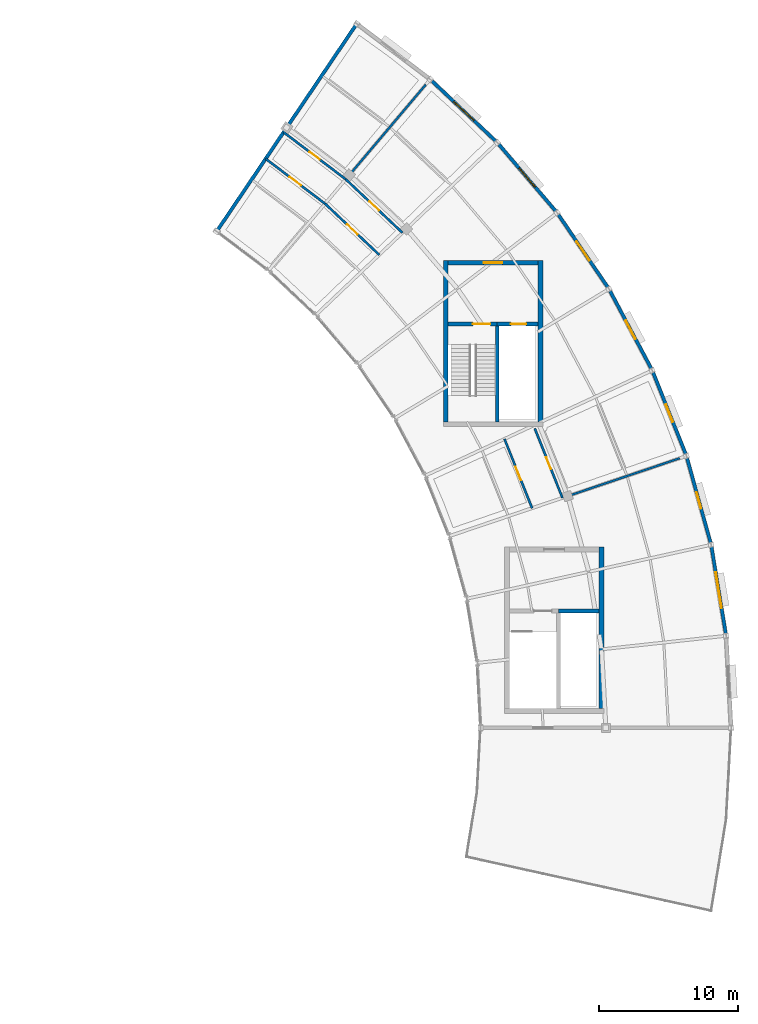
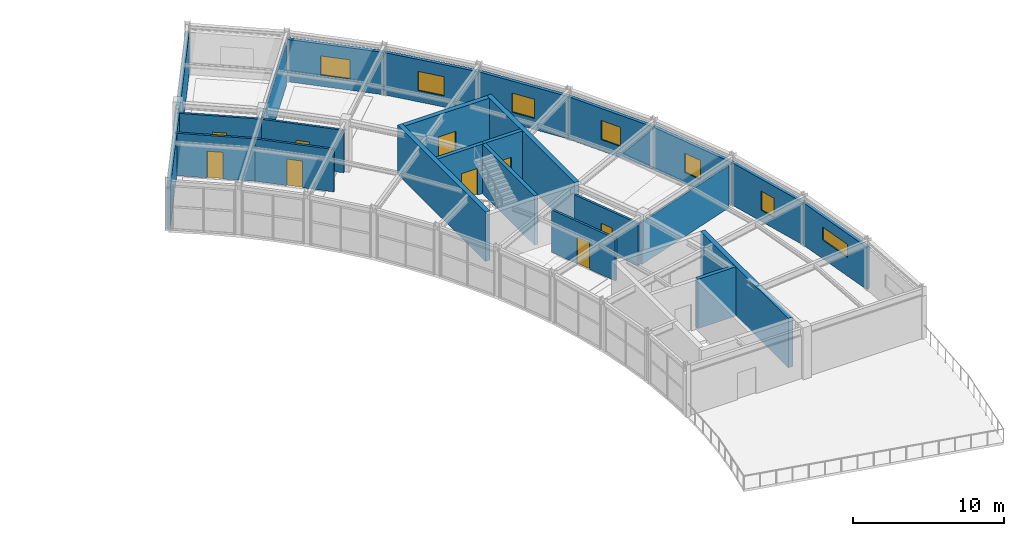
# One storey, part 20 of 29: 25 walls, 9 doors, 7 windows, 16 openings.
"""IFC4 building model written with IfcOpenShell, lengths in metres."""

from ifc_helpers import new_model, si_unit, direction, frame, frame_2d, origin, place, context, subcontext, project, spatial, rectangle, extrude, material, layer, layer_set, type_object, element, fill, save


model = new_model("IFC4")

# Units and contexts
model_context = context("Model", 3, precision=1e-05, world=origin(), true_north=direction((0.0, 1.0)))
body_context = subcontext(model_context, "Body", "Model", "MODEL_VIEW")
ifc_project = project(units=[si_unit("LENGTHUNIT", "METRE"), si_unit("AREAUNIT", "SQUARE_METRE"), si_unit("VOLUMEUNIT", "CUBIC_METRE"), si_unit("PLANEANGLEUNIT", "RADIAN"), si_unit("MASSUNIT", "GRAM", prefix="KILO")], contexts=[model_context])

# Site, building, storey
site_placement = place(None, origin())
site = spatial("IfcSite", under=ifc_project, at=site_placement, CompositionType="ELEMENT")
building_placement = place(site_placement, origin())
building = spatial("IfcBuilding", under=site, at=building_placement, Name="Tarnveldt Headland Concert Hall", CompositionType="ELEMENT")
storey_placement = place(building_placement, frame((0.0, 0.0, 18.60009765625)))
storey = spatial("IfcBuildingStorey", under=building, at=storey_placement, Name="L04", CompositionType="ELEMENT", Elevation=18.60009765625)

# Wall, opening, door
ifc_material_1 = material(Name="Concrete C40/50", Category="concrete")
ifc_layer_1 = layer(ifc_material_1, 0.35009765625, Name="Concrete C40/50", Category="concrete")
ifc_layer_set_1 = layer_set([ifc_layer_1], Name="Concrete C40/50")
wall_type_1 = type_object("IfcWallType", Name="WL-CR350", PredefinedType="SHEAR", material=ifc_layer_set_1)
wall_1_placement = place(storey_placement, frame((158.175048828125, 93.39990234375, 0.0), z_axis=(0.0, 0.0, 1.0), x_axis=(1.0, 0.0, 0.0)))
wall_1 = element("IfcWall", 1, at=wall_1_placement, inside=storey, type_object=wall_type_1, Name="Core C3 north shear wall L04", PredefinedType="SHEAR", context=body_context, shape_type="SweptSolid", body=[
    extrude(rectangle(XDim=6.449951171875, YDim=0.35009765625, at=frame_2d((3.22509765625, 0.0))), origin(), (0.0, 0.0, 1.0), 3.97998046875),
])
opening_1_placement = place(wall_1_placement, frame((2.550048828125, 0.0, 0.0)))
opening_1 = element("IfcOpeningElement", 2, at=opening_1_placement, cuts=wall_1, Name="Opening FFD-C3-L04", PredefinedType="OPENING", context=body_context, shape_type="SweptSolid", body=[
    extrude(rectangle(XDim=1.35009765625, YDim=2.199951171875, at=frame_2d((0.675048828125, 1.10009765625))), frame((0.0, 0.18505859375, 0.0), z_axis=(0.0, -1.0, 0.0), x_axis=(1.0, 0.0, 0.0)), (0.0, 0.0, 1.0), 0.3701171875),
])
ifc_material_2 = material(Name="Galvanised painted steel sheet", Category="steel")
door_type_1 = type_object("IfcDoorType", Name="DR-FF135", OperationType="NOTDEFINED", PredefinedType="DOOR", material=ifc_material_2)
door_1_placement = place(opening_1_placement, origin())
door_1 = element("IfcDoor", 3, at=door_1_placement, inside=storey, type_object=door_type_1, Name="Core C3 firefighting lobby entrance door L04", OperationType="SINGLE_SWING_RIGHT", OverallHeight=2.199951171875, OverallWidth=1.35009765625, PredefinedType="DOOR", context=body_context, shape_type="SweptSolid", body=[
    extrude(rectangle(XDim=1.35009765625, YDim=2.199951171875, at=frame_2d((0.675048828125, 1.10009765625))), frame((0.0, 0.02490234375, 0.0), z_axis=(0.0, -1.0, 0.0), x_axis=(1.0, 0.0, 0.0)), (0.0, 0.0, 1.0), 0.050048828125),
])
fill(opening_1, door_1)

# Walls
for number, where, z_axis, x_axis, name in (
    (4, (158.0, 81.97509765625, 0.0), (0.0, 0.0, 1.0), (0.0, 1.0, 0.0), "Core C3 west shear wall L04"),
    (5, (164.800048828125, 81.97509765625, 0.0), (0.0, 0.0, 1.0), (0.0, 1.0, 0.0), "Core C3 east shear wall L04"),
):
    element("IfcWall", number, at=place(storey_placement, frame(where, z_axis=z_axis, x_axis=x_axis)), inside=storey, type_object=wall_type_1, Name=name, PredefinedType="SHEAR", context=body_context, shape_type="SweptSolid", body=[
        extrude(rectangle(XDim=11.599853515625, YDim=0.35009765625, at=frame_2d((5.7998046875, 0.0))), origin(), (0.0, 0.0, 1.0), 3.97998046875),
    ])
wall_2_placement = place(storey_placement, frame((169.199951171875, 61.375, 0.0), z_axis=(0.0, 0.0, 1.0), x_axis=(0.0, 1.0, 0.0)))
element("IfcWall", 6, at=wall_2_placement, inside=storey, type_object=wall_type_1, Name="Core C4 east shear wall L04", PredefinedType="SHEAR", context=body_context, shape_type="SweptSolid", body=[
    extrude(rectangle(XDim=11.60009765625, YDim=0.35009765625, at=frame_2d((5.800048828125, 0.0))), origin(), (0.0, 0.0, 1.0), 3.97998046875),
])

# Wall, opening, window
ifc_material_3 = material(Name="Coral-toned precast concrete C40/50", Category="concrete")
ifc_layer_2 = layer(ifc_material_3, 0.239990234375, Name="Coral-toned precast concrete C40/50", Category="concrete")
ifc_layer_set_2 = layer_set([ifc_layer_2], Name="Coral-toned precast concrete C40/50")
wall_type_2 = type_object("IfcWallType", Name="WL-EX240", PredefinedType="SOLIDWALL", material=ifc_layer_set_2)
wall_3_placement = place(storey_placement, frame((177.070068359375, 73.12548828125, 0.0), z_axis=(0.0, 0.0, 1.0), x_axis=(0.162178892589, -0.986761372774, 0.0)))
wall_3 = element("IfcWall", 7, at=wall_3_placement, inside=storey, type_object=wall_type_2, Name="External precast wall L04-164", PredefinedType="SOLIDWALL", context=body_context, shape_type="SweptSolid", body=[
    extrude(rectangle(XDim=6.58154296875, YDim=0.239990234375, at=frame_2d((3.290771484375, 0.0))), origin(), (0.0, 0.0, 1.0), 3.41796875),
])
opening_2_placement = place(wall_3_placement, frame((1.99072265625, 0.0, 1.5)))
opening_2 = element("IfcOpeningElement", 8, at=opening_2_placement, cuts=wall_3, Name="Opening W-C082", PredefinedType="OPENING", context=body_context, shape_type="SweptSolid", body=[
    extrude(rectangle(XDim=2.60009765625, YDim=1.050048828125, at=frame_2d((1.300048828125, 0.52490234375))), frame((0.0, 0.1298828125, 0.0), z_axis=(0.0, -1.0, 0.0), x_axis=(1.0, 0.0, 0.0)), (0.0, 0.0, 1.0), 0.260009765625),
])
ifc_material_4 = material(Name="Acoustic laminated low-iron double glazing", Category="glass")
window_type_1 = type_object("IfcWindowType", Name="WN-26", PartitioningType="SINGLE_PANEL", PredefinedType="WINDOW", material=ifc_material_4)
window_1_placement = place(opening_2_placement, origin())
window_1 = element("IfcWindow", 9, at=window_1_placement, inside=storey, type_object=window_type_1, Name="Crescent coastal studio window L04-11", OverallHeight=1.050048828125, OverallWidth=2.60009765625, PartitioningType="SINGLE_PANEL", PredefinedType="WINDOW", context=body_context, shape_type="SweptSolid", body=[
    extrude(rectangle(XDim=2.60009765625, YDim=1.050048828125, at=frame_2d((1.300048828125, 0.52490234375))), frame((0.0, 0.030029296875, 0.0), z_axis=(0.0, -1.0, 0.0), x_axis=(1.0, 0.0, 0.0)), (0.0, 0.0, 1.0), 0.06005859375),
])
fill(opening_2, window_1)

wall_4_placement = place(storey_placement, frame((175.296630859375, 79.50439453125, 0.0), z_axis=(0.0, 0.0, 1.0), x_axis=(0.268139380464, -0.96338012884, 0.0)))
wall_4 = element("IfcWall", 10, at=wall_4_placement, inside=storey, type_object=wall_type_2, Name="External precast wall L04-165", PredefinedType="SOLIDWALL", context=body_context, shape_type="SweptSolid", body=[
    extrude(rectangle(XDim=6.5810546875, YDim=0.239990234375, at=frame_2d((3.29052734375, 0.0))), origin(), (0.0, 0.0, 1.0), 3.41796875),
])
opening_3_placement = place(wall_4_placement, frame((2.690673828125, 0.0, 0.89990234375)))
opening_3 = element("IfcOpeningElement", 11, at=opening_3_placement, cuts=wall_4, Name="Opening W-C083", PredefinedType="OPENING", context=body_context, shape_type="SweptSolid", body=[
    extrude(rectangle(XDim=1.199951171875, YDim=1.550048828125, at=frame_2d((0.60009765625, 0.77490234375))), frame((0.0, 0.1298828125, 0.0), z_axis=(0.0, -1.0, 0.0), x_axis=(1.0, 0.0, 0.0)), (0.0, 0.0, 1.0), 0.260009765625),
])
window_type_2 = type_object("IfcWindowType", Name="WN-01", PartitioningType="SINGLE_PANEL", PredefinedType="WINDOW", material=ifc_material_4)
window_2_placement = place(opening_3_placement, origin())
window_2 = element("IfcWindow", 12, at=window_2_placement, inside=storey, type_object=window_type_2, Name="Crescent coastal studio window L04-12", OverallHeight=1.550048828125, OverallWidth=1.199951171875, PartitioningType="SINGLE_PANEL", PredefinedType="WINDOW", context=body_context, shape_type="SweptSolid", body=[
    extrude(rectangle(XDim=1.199951171875, YDim=1.550048828125, at=frame_2d((0.60009765625, 0.77490234375))), frame((0.0, 0.030029296875, 0.0), z_axis=(0.0, -1.0, 0.0), x_axis=(1.0, 0.0, 0.0)), (0.0, 0.0, 1.0), 0.06005859375),
])
fill(opening_3, window_2)

wall_5_placement = place(storey_placement, frame((172.842041015625, 85.65380859375, 0.0), z_axis=(0.0, 0.0, 1.0), x_axis=(0.371013273361, -0.928627563122, 0.0)))
wall_5 = element("IfcWall", 13, at=wall_5_placement, inside=storey, type_object=wall_type_2, Name="External precast wall L04-166", PredefinedType="SOLIDWALL", context=body_context, shape_type="SweptSolid", body=[
    extrude(rectangle(XDim=6.5810546875, YDim=0.239990234375, at=frame_2d((3.29052734375, 0.0))), origin(), (0.0, 0.0, 1.0), 3.41796875),
])
opening_4_placement = place(wall_5_placement, frame((2.615478515625, 0.0, 0.89990234375)))
opening_4 = element("IfcOpeningElement", 14, at=opening_4_placement, cuts=wall_5, Name="Opening W-C084", PredefinedType="OPENING", context=body_context, shape_type="SweptSolid", body=[
    extrude(rectangle(XDim=1.35009765625, YDim=1.550048828125, at=frame_2d((0.675048828125, 0.77490234375))), frame((0.0, 0.1298828125, 0.0), z_axis=(0.0, -1.0, 0.0), x_axis=(1.0, 0.0, 0.0)), (0.0, 0.0, 1.0), 0.260009765625),
])
window_type_3 = type_object("IfcWindowType", Name="WN-02", PartitioningType="SINGLE_PANEL", PredefinedType="WINDOW", material=ifc_material_4)
window_3_placement = place(opening_4_placement, origin())
window_3 = element("IfcWindow", 15, at=window_3_placement, inside=storey, type_object=window_type_3, Name="Crescent coastal studio window L04-13", OverallHeight=1.550048828125, OverallWidth=1.35009765625, PartitioningType="SINGLE_PANEL", PredefinedType="WINDOW", context=body_context, shape_type="SweptSolid", body=[
    extrude(rectangle(XDim=1.35009765625, YDim=1.550048828125, at=frame_2d((0.675048828125, 0.77490234375))), frame((0.0, 0.030029296875, 0.0), z_axis=(0.0, -1.0, 0.0), x_axis=(1.0, 0.0, 0.0)), (0.0, 0.0, 1.0), 0.06005859375),
])
fill(opening_4, window_3)

wall_6_placement = place(storey_placement, frame((169.735595703125, 91.5009765625, 0.0), z_axis=(0.0, 0.0, 1.0), x_axis=(0.469465310576, -0.882950917189, 0.0)))
wall_6 = element("IfcWall", 16, at=wall_6_placement, inside=storey, type_object=wall_type_2, Name="External precast wall L04-167", PredefinedType="SOLIDWALL", context=body_context, shape_type="SweptSolid", body=[
    extrude(rectangle(XDim=6.5810546875, YDim=0.239990234375, at=frame_2d((3.29052734375, 0.0))), origin(), (0.0, 0.0, 1.0), 3.41796875),
])
opening_5_placement = place(wall_6_placement, frame((2.54052734375, 0.0, 0.89990234375)))
opening_5 = element("IfcOpeningElement", 17, at=opening_5_placement, cuts=wall_6, Name="Opening W-C085", PredefinedType="OPENING", context=body_context, shape_type="SweptSolid", body=[
    extrude(rectangle(XDim=1.5, YDim=1.550048828125, at=frame_2d((0.75, 0.77490234375))), frame((0.0, 0.1298828125, 0.0), z_axis=(0.0, -1.0, 0.0), x_axis=(1.0, 0.0, 0.0)), (0.0, 0.0, 1.0), 0.260009765625),
])
window_type_4 = type_object("IfcWindowType", Name="WN-03", PartitioningType="SINGLE_PANEL", PredefinedType="WINDOW", material=ifc_material_4)
window_4_placement = place(opening_5_placement, origin())
window_4 = element("IfcWindow", 18, at=window_4_placement, inside=storey, type_object=window_type_4, Name="Crescent coastal studio window L04-14", OverallHeight=1.550048828125, OverallWidth=1.5, PartitioningType="SINGLE_PANEL", PredefinedType="WINDOW", context=body_context, shape_type="SweptSolid", body=[
    extrude(rectangle(XDim=1.5, YDim=1.550048828125, at=frame_2d((0.75, 0.77490234375))), frame((0.0, 0.030029296875, 0.0), z_axis=(0.0, -1.0, 0.0), x_axis=(1.0, 0.0, 0.0)), (0.0, 0.0, 1.0), 0.06005859375),
])
fill(opening_5, window_4)

wall_7_placement = place(storey_placement, frame((166.013671875, 96.97705078125, 0.0), z_axis=(0.0, 0.0, 1.0), x_axis=(0.56240640933, -0.826860950067, 0.0)))
wall_7 = element("IfcWall", 19, at=wall_7_placement, inside=storey, type_object=wall_type_2, Name="External precast wall L04-168", PredefinedType="SOLIDWALL", context=body_context, shape_type="SweptSolid", body=[
    extrude(rectangle(XDim=6.581298828125, YDim=0.239990234375, at=frame_2d((3.29052734375, 0.0))), origin(), (0.0, 0.0, 1.0), 3.41796875),
])
opening_6_placement = place(wall_7_placement, frame((2.4658203125, 0.0, 0.89990234375)))
opening_6 = element("IfcOpeningElement", 20, at=opening_6_placement, cuts=wall_7, Name="Opening W-C086", PredefinedType="OPENING", context=body_context, shape_type="SweptSolid", body=[
    extrude(rectangle(XDim=1.64990234375, YDim=1.550048828125, at=frame_2d((0.824951171875, 0.77490234375))), frame((0.0, 0.1298828125, 0.0), z_axis=(0.0, -1.0, 0.0), x_axis=(1.0, 0.0, 0.0)), (0.0, 0.0, 1.0), 0.260009765625),
])
window_type_5 = type_object("IfcWindowType", Name="WN-04", PartitioningType="SINGLE_PANEL", PredefinedType="WINDOW", material=ifc_material_4)
window_5_placement = place(opening_6_placement, origin())
window_5 = element("IfcWindow", 21, at=window_5_placement, inside=storey, type_object=window_type_5, Name="Crescent coastal studio window L04-15", OverallHeight=1.550048828125, OverallWidth=1.64990234375, PartitioningType="SINGLE_PANEL", PredefinedType="WINDOW", context=body_context, shape_type="SweptSolid", body=[
    extrude(rectangle(XDim=1.64990234375, YDim=1.550048828125, at=frame_2d((0.824951171875, 0.77490234375))), frame((0.0, 0.030029296875, 0.0), z_axis=(0.0, -1.0, 0.0), x_axis=(1.0, 0.0, 0.0)), (0.0, 0.0, 1.0), 0.06005859375),
])
fill(opening_6, window_5)

wall_8_placement = place(storey_placement, frame((161.72021484375, 102.017333984375, 0.0), z_axis=(0.0, 0.0, 1.0), x_axis=(0.648708464949, -0.761037007973, 0.0)))
wall_8 = element("IfcWall", 22, at=wall_8_placement, inside=storey, type_object=wall_type_2, Name="External precast wall L04-169", PredefinedType="SOLIDWALL", context=body_context, shape_type="SweptSolid", body=[
    extrude(rectangle(XDim=6.581298828125, YDim=0.239990234375, at=frame_2d((3.29052734375, 0.0))), origin(), (0.0, 0.0, 1.0), 3.41796875),
])
opening_7_placement = place(wall_8_placement, frame((2.390625, 0.0, 0.89990234375)))
opening_7 = element("IfcOpeningElement", 23, at=opening_7_placement, cuts=wall_8, Name="Opening W-C087", PredefinedType="OPENING", context=body_context, shape_type="SweptSolid", body=[
    extrude(rectangle(XDim=1.800048828125, YDim=1.550048828125, at=frame_2d((0.89990234375, 0.77490234375))), frame((0.0, 0.1298828125, 0.0), z_axis=(0.0, -1.0, 0.0), x_axis=(1.0, 0.0, 0.0)), (0.0, 0.0, 1.0), 0.260009765625),
])
window_type_6 = type_object("IfcWindowType", Name="WN-05", PartitioningType="SINGLE_PANEL", PredefinedType="WINDOW", material=ifc_material_4)
window_6_placement = place(opening_7_placement, origin())
window_6 = element("IfcWindow", 24, at=window_6_placement, inside=storey, type_object=window_type_6, Name="Crescent coastal studio window L04-16", OverallHeight=1.550048828125, OverallWidth=1.800048828125, PartitioningType="SINGLE_PANEL", PredefinedType="WINDOW", context=body_context, shape_type="SweptSolid", body=[
    extrude(rectangle(XDim=1.800048828125, YDim=1.550048828125, at=frame_2d((0.89990234375, 0.77490234375))), frame((0.0, 0.030029296875, 0.0), z_axis=(0.0, -1.0, 0.0), x_axis=(1.0, 0.0, 0.0)), (0.0, 0.0, 1.0), 0.06005859375),
])
fill(opening_7, window_6)

wall_9_placement = place(storey_placement, frame((156.905517578125, 106.5625, 0.0), z_axis=(0.0, 0.0, 1.0), x_axis=(0.727377231984, -0.686237832235, 0.0)))
wall_9 = element("IfcWall", 25, at=wall_9_placement, inside=storey, type_object=wall_type_2, Name="External precast wall L04-170", PredefinedType="SOLIDWALL", context=body_context, shape_type="SweptSolid", body=[
    extrude(rectangle(XDim=6.581298828125, YDim=0.239990234375, at=frame_2d((3.29052734375, 0.0))), origin(), (0.0, 0.0, 1.0), 3.41796875),
])
opening_8_placement = place(wall_9_placement, frame((2.290771484375, 0.0, 0.89990234375)))
opening_8 = element("IfcOpeningElement", 26, at=opening_8_placement, cuts=wall_9, Name="Opening W-C088", PredefinedType="OPENING", context=body_context, shape_type="SweptSolid", body=[
    extrude(rectangle(XDim=2.0, YDim=1.550048828125, at=frame_2d((1.0, 0.77490234375))), frame((0.0, 0.1298828125, 0.0), z_axis=(0.0, -1.0, 0.0), x_axis=(1.0, 0.0, 0.0)), (0.0, 0.0, 1.0), 0.260009765625),
])
window_type_7 = type_object("IfcWindowType", Name="WN-06", PartitioningType="SINGLE_PANEL", PredefinedType="WINDOW", material=ifc_material_4)
window_7_placement = place(opening_8_placement, origin())
window_7 = element("IfcWindow", 27, at=window_7_placement, inside=storey, type_object=window_type_7, Name="Crescent coastal studio window L04-17", OverallHeight=1.550048828125, OverallWidth=2.0, PartitioningType="SINGLE_PANEL", PredefinedType="WINDOW", context=body_context, shape_type="SweptSolid", body=[
    extrude(rectangle(XDim=2.0, YDim=1.550048828125, at=frame_2d((1.0, 0.77490234375))), frame((0.0, 0.030029296875, 0.0), z_axis=(0.0, -1.0, 0.0), x_axis=(1.0, 0.0, 0.0)), (0.0, 0.0, 1.0), 0.06005859375),
])
fill(opening_8, window_7)

# Walls
ifc_layer_3 = layer(ifc_material_3, 0.25, Name="Coral-toned precast concrete C40/50", Category="concrete")
ifc_layer_set_3 = layer_set([ifc_layer_3], Name="Coral-toned precast concrete C40/50")
wall_type_3 = type_object("IfcWallType", Name="WL-EX250", PredefinedType="SOLIDWALL", material=ifc_layer_set_3)
wall_10_placement = place(storey_placement, frame((141.556396484375, 95.665283203125, 0.0), z_axis=(0.0, 0.0, 1.0), x_axis=(0.559200466777, 0.829032470991, 0.0)))
element("IfcWall", 28, at=wall_10_placement, inside=storey, type_object=wall_type_3, Name="External precast wall L04-174", PredefinedType="SOLIDWALL", context=body_context, shape_type="SweptSolid", body=[
    extrude(rectangle(XDim=8.960205078125, YDim=0.25, at=frame_2d((4.47998046875, 0.0))), origin(), (0.0, 0.0, 1.0), 3.41796875),
])
wall_11_placement = place(storey_placement, frame((146.589111328125, 103.126708984375, 0.0), z_axis=(0.0, 0.0, 1.0), x_axis=(0.559213098812, 0.829023950268, 0.0)))
element("IfcWall", 29, at=wall_11_placement, inside=storey, type_object=wall_type_3, Name="External precast wall L04-175", PredefinedType="SOLIDWALL", context=body_context, shape_type="SweptSolid", body=[
    extrude(rectangle(XDim=8.9599609375, YDim=0.25, at=frame_2d((4.47998046875, 0.0))), origin(), (0.0, 0.0, 1.0), 3.41796875),
])
ifc_material_5 = material(Name="Acoustic multi-layer gypsum and mineral-wool partition", Category="gypsum")
ifc_layer_4 = layer(ifc_material_5, 0.14990234375, Name="Acoustic multi-layer gypsum and mineral-wool partition", Category="gypsum")
ifc_layer_set_4 = layer_set([ifc_layer_4], Name="Acoustic multi-layer gypsum and mineral-wool partition")
wall_type_4 = type_object("IfcWallType", Name="WL-PT150", PredefinedType="PARTITIONING", material=ifc_layer_set_4)
for number, where, z_axis, x_axis, name in (
    (30, (166.5751953125, 76.5791015625, 0.0), (0.0, 0.0, 1.0), (0.947390199596, 0.320080942435, 0.0), "Interior acoustic partition L04-222"),
    (31, (150.9501953125, 99.5517578125, 0.0), (0.0, 0.0, 1.0), (0.645745976221, 0.763552312677, 0.0), "Interior acoustic partition L04-227"),
):
    element("IfcWall", number, at=place(storey_placement, frame(where, z_axis=z_axis, x_axis=x_axis)), inside=storey, type_object=wall_type_4, Name=name, PredefinedType="PARTITIONING", context=body_context, shape_type="SweptSolid", body=[
        extrude(rectangle(XDim=8.699951171875, YDim=0.14990234375, at=frame_2d((4.35009765625, 0.0))), origin(), (0.0, 0.0, 1.0), 3.419921875),
    ])

# Wall, opening, door
ifc_layer_5 = layer(ifc_material_5, 0.1650390625, Name="Acoustic multi-layer gypsum and mineral-wool partition", Category="gypsum")
ifc_layer_set_5 = layer_set([ifc_layer_5], Name="Acoustic multi-layer gypsum and mineral-wool partition")
wall_type_5 = type_object("IfcWallType", Name="WL-PT165", PredefinedType="PARTITIONING", material=ifc_layer_set_5)
wall_12_placement = place(storey_placement, frame((164.206787109375, 75.779052734375, 0.0), z_axis=(0.0, 0.0, 1.0), x_axis=(-0.371052411724, 0.92861192527, 0.0)))
wall_12 = element("IfcWall", 32, at=wall_12_placement, inside=storey, type_object=wall_type_5, Name="Interior acoustic partition L04-220", PredefinedType="PARTITIONING", context=body_context, shape_type="SweptSolid", body=[
    extrude(rectangle(XDim=5.351318359375, YDim=0.1650390625, at=frame_2d((2.67578125, 0.0))), origin(), (0.0, 0.0, 1.0), 3.419921875),
])
opening_9_placement = place(wall_12_placement, frame((2.150634765625, 0.0, 0.0)))
opening_9 = element("IfcOpeningElement", 33, at=opening_9_placement, cuts=wall_12, Name="Opening D-L04-221", PredefinedType="OPENING", context=body_context, shape_type="SweptSolid", body=[
    extrude(rectangle(XDim=1.050048828125, YDim=2.14990234375, at=frame_2d((0.52490234375, 1.074951171875))), frame((0.0, 0.092529296875, 0.0), z_axis=(0.0, -1.0, 0.0), x_axis=(1.0, 0.0, 0.0)), (0.0, 0.0, 1.0), 0.18505859375),
])
ifc_material_6 = material(Name="Treated East African mvule hardwood", Category="wood")
door_type_2 = type_object("IfcDoorType", Name="DR-RM105", OperationType="NOTDEFINED", PredefinedType="DOOR", material=ifc_material_6)
door_2_placement = place(opening_9_placement, origin())
door_2 = element("IfcDoor", 34, at=door_2_placement, inside=storey, type_object=door_type_2, Name="Interior room door L04-221", OperationType="SINGLE_SWING_LEFT", OverallHeight=2.14990234375, OverallWidth=1.050048828125, PredefinedType="DOOR", context=body_context, shape_type="SweptSolid", body=[
    extrude(rectangle(XDim=1.050048828125, YDim=2.14990234375, at=frame_2d((0.52490234375, 1.074951171875))), frame((0.0, 0.02490234375, 0.0), z_axis=(0.0, -1.0, 0.0), x_axis=(1.0, 0.0, 0.0)), (0.0, 0.0, 1.0), 0.050048828125),
])
fill(opening_9, door_2)

wall_13_placement = place(storey_placement, frame((166.3857421875, 76.51513671875, 0.0), z_axis=(0.0, 0.0, 1.0), x_axis=(-0.370990720389, 0.928636573362, 0.0)))
wall_13 = element("IfcWall", 35, at=wall_13_placement, inside=storey, type_object=wall_type_5, Name="Interior acoustic partition L04-221", PredefinedType="PARTITIONING", context=body_context, shape_type="SweptSolid", body=[
    extrude(rectangle(XDim=5.367919921875, YDim=0.1650390625, at=frame_2d((2.68408203125, 0.0))), origin(), (0.0, 0.0, 1.0), 3.419921875),
])
opening_10_placement = place(wall_13_placement, frame((2.223876953125, 0.0, 0.0)))
opening_10 = element("IfcOpeningElement", 36, at=opening_10_placement, cuts=wall_13, Name="Opening D-L04-222", PredefinedType="OPENING", context=body_context, shape_type="SweptSolid", body=[
    extrude(rectangle(XDim=0.919921875, YDim=2.10009765625, at=frame_2d((0.4599609375, 1.050048828125))), frame((0.0, 0.092529296875, 0.0), z_axis=(0.0, -1.0, 0.0), x_axis=(1.0, 0.0, 0.0)), (0.0, 0.0, 1.0), 0.18505859375),
])
door_type_3 = type_object("IfcDoorType", Name="DR-WC092", OperationType="NOTDEFINED", PredefinedType="DOOR", material=ifc_material_6)
door_3_placement = place(opening_10_placement, origin())
door_3 = element("IfcDoor", 37, at=door_3_placement, inside=storey, type_object=door_type_3, Name="Interior room door L04-222", OperationType="SINGLE_SWING_RIGHT", OverallHeight=2.10009765625, OverallWidth=0.919921875, PredefinedType="DOOR", context=body_context, shape_type="SweptSolid", body=[
    extrude(rectangle(XDim=0.919921875, YDim=2.10009765625, at=frame_2d((0.4599609375, 1.050048828125))), frame((0.0, 0.02490234375, 0.0), z_axis=(0.0, -1.0, 0.0), x_axis=(1.0, 0.0, 0.0)), (0.0, 0.0, 1.0), 0.050048828125),
])
fill(opening_10, door_3)

wall_14_placement = place(storey_placement, frame((153.22802734375, 93.970458984375, 0.0), z_axis=(0.0, 0.0, 1.0), x_axis=(-0.7273609966, 0.68625504051, 0.0)))
wall_14 = element("IfcWall", 38, at=wall_14_placement, inside=storey, type_object=wall_type_5, Name="Interior acoustic partition L04-223", PredefinedType="PARTITIONING", context=body_context, shape_type="SweptSolid", body=[
    extrude(rectangle(XDim=5.351318359375, YDim=0.1650390625, at=frame_2d((2.67578125, 0.0))), origin(), (0.0, 0.0, 1.0), 3.419921875),
])
opening_11_placement = place(wall_14_placement, frame((2.150634765625, 0.0, 0.0)))
opening_11 = element("IfcOpeningElement", 39, at=opening_11_placement, cuts=wall_14, Name="Opening D-L04-223", PredefinedType="OPENING", context=body_context, shape_type="SweptSolid", body=[
    extrude(rectangle(XDim=1.050048828125, YDim=2.14990234375, at=frame_2d((0.52490234375, 1.074951171875))), frame((0.0, 0.092529296875, 0.0), z_axis=(0.0, -1.0, 0.0), x_axis=(1.0, 0.0, 0.0)), (0.0, 0.0, 1.0), 0.18505859375),
])
door_4_placement = place(opening_11_placement, origin())
door_4 = element("IfcDoor", 40, at=door_4_placement, inside=storey, type_object=door_type_2, Name="Interior room door L04-223", OperationType="SINGLE_SWING_LEFT", OverallHeight=2.14990234375, OverallWidth=1.050048828125, PredefinedType="DOOR", context=body_context, shape_type="SweptSolid", body=[
    extrude(rectangle(XDim=1.050048828125, YDim=2.14990234375, at=frame_2d((0.52490234375, 1.074951171875))), frame((0.0, 0.02490234375, 0.0), z_axis=(0.0, -1.0, 0.0), x_axis=(1.0, 0.0, 0.0)), (0.0, 0.0, 1.0), 0.050048828125),
])
fill(opening_11, door_4)

wall_15_placement = place(storey_placement, frame((154.89501953125, 95.555419921875, 0.0), z_axis=(0.0, 0.0, 1.0), x_axis=(-0.727402273239, 0.686211288807, 0.0)))
wall_15 = element("IfcWall", 41, at=wall_15_placement, inside=storey, type_object=wall_type_5, Name="Interior acoustic partition L04-224", PredefinedType="PARTITIONING", context=body_context, shape_type="SweptSolid", body=[
    extrude(rectangle(XDim=5.60107421875, YDim=0.1650390625, at=frame_2d((2.800537109375, 0.0))), origin(), (0.0, 0.0, 1.0), 3.419921875),
])
opening_12_placement = place(wall_15_placement, frame((2.340576171875, 0.0, 0.0)))
opening_12 = element("IfcOpeningElement", 42, at=opening_12_placement, cuts=wall_15, Name="Opening D-L04-224", PredefinedType="OPENING", context=body_context, shape_type="SweptSolid", body=[
    extrude(rectangle(XDim=0.919921875, YDim=2.10009765625, at=frame_2d((0.4599609375, 1.050048828125))), frame((0.0, 0.092529296875, 0.0), z_axis=(0.0, -1.0, 0.0), x_axis=(1.0, 0.0, 0.0)), (0.0, 0.0, 1.0), 0.18505859375),
])
door_5_placement = place(opening_12_placement, origin())
door_5 = element("IfcDoor", 43, at=door_5_placement, inside=storey, type_object=door_type_3, Name="Interior room door L04-224", OperationType="SINGLE_SWING_RIGHT", OverallHeight=2.10009765625, OverallWidth=0.919921875, PredefinedType="DOOR", context=body_context, shape_type="SweptSolid", body=[
    extrude(rectangle(XDim=0.919921875, YDim=2.10009765625, at=frame_2d((0.4599609375, 1.050048828125))), frame((0.0, 0.02490234375, 0.0), z_axis=(0.0, -1.0, 0.0), x_axis=(1.0, 0.0, 0.0)), (0.0, 0.0, 1.0), 0.050048828125),
])
fill(opening_12, door_5)

wall_16_placement = place(storey_placement, frame((149.335693359375, 97.642822265625, 0.0), z_axis=(0.0, 0.0, 1.0), x_axis=(-0.797474612376, 0.603352502784, 0.0)))
wall_16 = element("IfcWall", 44, at=wall_16_placement, inside=storey, type_object=wall_type_5, Name="Interior acoustic partition L04-225", PredefinedType="PARTITIONING", context=body_context, shape_type="SweptSolid", body=[
    extrude(rectangle(XDim=5.351318359375, YDim=0.1650390625, at=frame_2d((2.67578125, 0.0))), origin(), (0.0, 0.0, 1.0), 3.419921875),
])
opening_13_placement = place(wall_16_placement, frame((2.150634765625, 0.0, 0.0)))
opening_13 = element("IfcOpeningElement", 45, at=opening_13_placement, cuts=wall_16, Name="Opening D-L04-225", PredefinedType="OPENING", context=body_context, shape_type="SweptSolid", body=[
    extrude(rectangle(XDim=1.050048828125, YDim=2.14990234375, at=frame_2d((0.52490234375, 1.074951171875))), frame((0.0, 0.092529296875, 0.0), z_axis=(0.0, -1.0, 0.0), x_axis=(1.0, 0.0, 0.0)), (0.0, 0.0, 1.0), 0.18505859375),
])
door_6_placement = place(opening_13_placement, origin())
door_6 = element("IfcDoor", 46, at=door_6_placement, inside=storey, type_object=door_type_2, Name="Interior room door L04-225", OperationType="SINGLE_SWING_LEFT", OverallHeight=2.14990234375, OverallWidth=1.050048828125, PredefinedType="DOOR", context=body_context, shape_type="SweptSolid", body=[
    extrude(rectangle(XDim=1.050048828125, YDim=2.14990234375, at=frame_2d((0.52490234375, 1.074951171875))), frame((0.0, 0.02490234375, 0.0), z_axis=(0.0, -1.0, 0.0), x_axis=(1.0, 0.0, 0.0)), (0.0, 0.0, 1.0), 0.050048828125),
])
fill(opening_13, door_6)

wall_17_placement = place(storey_placement, frame((150.82080078125, 99.39892578125, 0.0), z_axis=(0.0, 0.0, 1.0), x_axis=(-0.797450601932, 0.603384237015, 0.0)))
wall_17 = element("IfcWall", 47, at=wall_17_placement, inside=storey, type_object=wall_type_5, Name="Interior acoustic partition L04-226", PredefinedType="PARTITIONING", context=body_context, shape_type="SweptSolid", body=[
    extrude(rectangle(XDim=5.600830078125, YDim=0.1650390625, at=frame_2d((2.80029296875, 0.0))), origin(), (0.0, 0.0, 1.0), 3.419921875),
])
opening_14_placement = place(wall_17_placement, frame((2.34033203125, 0.0, 0.0)))
opening_14 = element("IfcOpeningElement", 48, at=opening_14_placement, cuts=wall_17, Name="Opening D-L04-226", PredefinedType="OPENING", context=body_context, shape_type="SweptSolid", body=[
    extrude(rectangle(XDim=0.919921875, YDim=2.10009765625, at=frame_2d((0.4599609375, 1.050048828125))), frame((0.0, 0.092529296875, 0.0), z_axis=(0.0, -1.0, 0.0), x_axis=(1.0, 0.0, 0.0)), (0.0, 0.0, 1.0), 0.18505859375),
])
door_7_placement = place(opening_14_placement, origin())
door_7 = element("IfcDoor", 49, at=door_7_placement, inside=storey, type_object=door_type_3, Name="Interior room door L04-226", OperationType="SINGLE_SWING_RIGHT", OverallHeight=2.10009765625, OverallWidth=0.919921875, PredefinedType="DOOR", context=body_context, shape_type="SweptSolid", body=[
    extrude(rectangle(XDim=0.919921875, YDim=2.10009765625, at=frame_2d((0.4599609375, 1.050048828125))), frame((0.0, 0.02490234375, 0.0), z_axis=(0.0, -1.0, 0.0), x_axis=(1.0, 0.0, 0.0)), (0.0, 0.0, 1.0), 0.050048828125),
])
fill(opening_14, door_7)

# Wall
ifc_layer_6 = layer(ifc_material_1, 0.27490234375, Name="Concrete C40/50", Category="concrete")
ifc_layer_set_6 = layer_set([ifc_layer_6], Name="Concrete C40/50")
wall_type_6 = type_object("IfcWallType", Name="WL-SH275", PredefinedType="SHEAR", material=ifc_layer_set_6)
wall_18_placement = place(storey_placement, frame((161.699951171875, 81.97509765625, 0.0), z_axis=(0.0, 0.0, 1.0), x_axis=(0.0, 1.0, 0.0)))
element("IfcWall", 50, at=wall_18_placement, inside=storey, type_object=wall_type_6, Name="Core C3 shaft divider wall L04", PredefinedType="SHEAR", context=body_context, shape_type="SweptSolid", body=[
    extrude(rectangle(XDim=6.887451171875, YDim=0.27490234375, at=frame_2d((3.44384765625, 0.0))), origin(), (0.0, 0.0, 1.0), 3.97998046875),
])

# Wall, opening, door
wall_19_placement = place(storey_placement, frame((158.175048828125, 89.0, 0.0), z_axis=(0.0, 0.0, 1.0), x_axis=(1.0, 0.0, 0.0)))
wall_19 = element("IfcWall", 51, at=wall_19_placement, inside=storey, type_object=wall_type_6, Name="Core C3 stair enclosure wall L04", PredefinedType="SHEAR", context=body_context, shape_type="SweptSolid", body=[
    extrude(rectangle(XDim=3.52490234375, YDim=0.27490234375, at=frame_2d((1.762451171875, 0.0))), origin(), (0.0, 0.0, 1.0), 3.97998046875),
])
opening_15_placement = place(wall_19_placement, frame((1.784912109375, 0.0, 0.0)))
opening_15 = element("IfcOpeningElement", 52, at=opening_15_placement, cuts=wall_19, Name="Opening SD-C3-L04", PredefinedType="OPENING", context=body_context, shape_type="SweptSolid", body=[
    extrude(rectangle(XDim=1.25, YDim=2.14990234375, at=frame_2d((0.625, 1.074951171875))), frame((0.0, 0.1474609375, 0.0), z_axis=(0.0, -1.0, 0.0), x_axis=(1.0, 0.0, 0.0)), (0.0, 0.0, 1.0), 0.294921875),
])
door_type_4 = type_object("IfcDoorType", Name="DR-ST125", OperationType="NOTDEFINED", PredefinedType="DOOR", material=ifc_material_2)
door_8_placement = place(opening_15_placement, origin())
door_8 = element("IfcDoor", 53, at=door_8_placement, inside=storey, type_object=door_type_4, Name="Core C3 stair fire door L04", OperationType="SINGLE_SWING_RIGHT", OverallHeight=2.14990234375, OverallWidth=1.25, PredefinedType="DOOR", context=body_context, shape_type="SweptSolid", body=[
    extrude(rectangle(XDim=1.25, YDim=2.14990234375, at=frame_2d((0.625, 1.074951171875))), frame((0.0, 0.02490234375, 0.0), z_axis=(0.0, -1.0, 0.0), x_axis=(1.0, 0.0, 0.0)), (0.0, 0.0, 1.0), 0.050048828125),
])
fill(opening_15, door_8)

wall_20_placement = place(storey_placement, frame((161.699951171875, 89.0, 0.0), z_axis=(0.0, 0.0, 1.0), x_axis=(1.0, 0.0, 0.0)))
wall_20 = element("IfcWall", 54, at=wall_20_placement, inside=storey, type_object=wall_type_6, Name="Core C3 lift shaft front wall L04", PredefinedType="SHEAR", context=body_context, shape_type="SweptSolid", body=[
    extrude(rectangle(XDim=2.925048828125, YDim=0.27490234375, at=frame_2d((1.46240234375, 0.0))), origin(), (0.0, 0.0, 1.0), 3.97998046875),
])
opening_16_placement = place(wall_20_placement, frame((0.982421875, 0.0, 0.0)))
opening_16 = element("IfcOpeningElement", 55, at=opening_16_placement, cuts=wall_20, Name="Opening LD-FFL-02-L04", PredefinedType="OPENING", context=body_context, shape_type="SweptSolid", body=[
    extrude(rectangle(XDim=1.10009765625, YDim=2.14990234375, at=frame_2d((0.550048828125, 1.074951171875))), frame((0.0, 0.1474609375, 0.0), z_axis=(0.0, -1.0, 0.0), x_axis=(1.0, 0.0, 0.0)), (0.0, 0.0, 1.0), 0.294921875),
])
door_type_5 = type_object("IfcDoorType", Name="LD-110", OperationType="NOTDEFINED", PredefinedType="DOOR", material=ifc_material_2)
door_9_placement = place(opening_16_placement, origin())
door_9 = element("IfcDoor", 56, at=door_9_placement, inside=storey, type_object=door_type_5, Name="Lift FFL-02 sliding landing door L04", OperationType="DOUBLE_DOOR_SLIDING", OverallHeight=2.14990234375, OverallWidth=1.10009765625, PredefinedType="DOOR", context=body_context, shape_type="SweptSolid", body=[
    extrude(rectangle(XDim=1.10009765625, YDim=2.14990234375, at=frame_2d((0.550048828125, 1.074951171875))), frame((0.0, 0.02490234375, 0.0), z_axis=(0.0, -1.0, 0.0), x_axis=(1.0, 0.0, 0.0)), (0.0, 0.0, 1.0), 0.050048828125),
])
fill(opening_16, door_9)

# Wall
wall_21_placement = place(storey_placement, frame((166.10009765625, 68.39990234375, 0.0), z_axis=(0.0, 0.0, 1.0), x_axis=(1.0, 0.0, 0.0)))
element("IfcWall", 57, at=wall_21_placement, inside=storey, type_object=wall_type_6, Name="Core C4 lift shaft front wall L04", PredefinedType="SHEAR", context=body_context, shape_type="SweptSolid", body=[
    extrude(rectangle(XDim=2.9248046875, YDim=0.27490234375, at=frame_2d((1.46240234375, 0.0))), origin(), (0.0, 0.0, 1.0), 3.97998046875),
])

save(model, "model.ifc")
